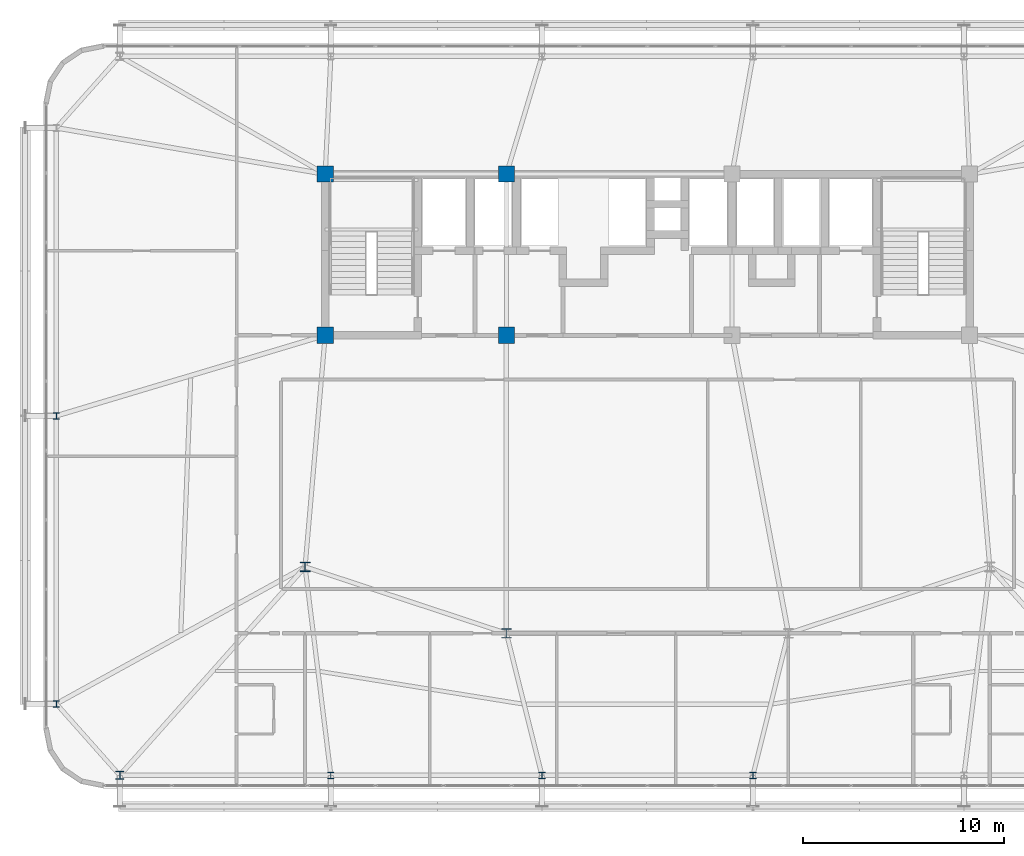
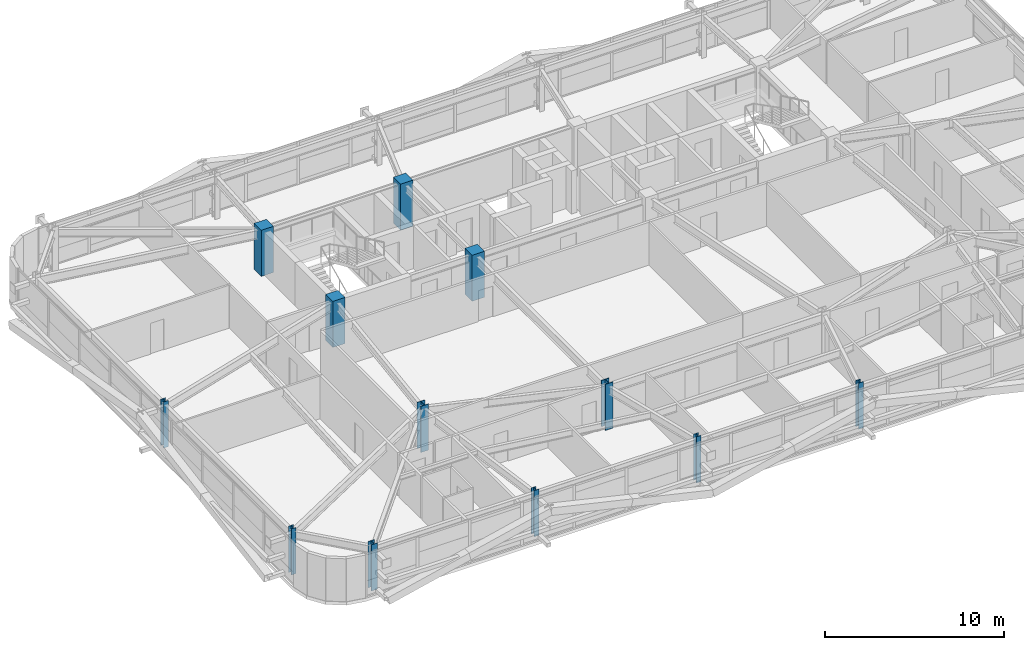
# One storey, part 1 of 58: 12 columns.
"""IFC4 building model written with IfcOpenShell, lengths in metres."""

from ifc_helpers import new_model, si_unit, direction, frame, origin, origin_2d, place, context, subcontext, project, spatial, rectangle, i_section, extrude, source, transform, mapped, material, material_profile, profile_set, type_object, element, save


model = new_model("IFC4")

# Units and contexts
model_context = context("Model", 3, precision=1e-05, world=origin(), true_north=direction((0.0, 1.0)))
body_context = subcontext(model_context, "Body", "Model", "MODEL_VIEW")
ifc_project = project(units=[si_unit("LENGTHUNIT", "METRE"), si_unit("AREAUNIT", "SQUARE_METRE"), si_unit("VOLUMEUNIT", "CUBIC_METRE"), si_unit("PLANEANGLEUNIT", "RADIAN"), si_unit("MASSUNIT", "GRAM", prefix="KILO")], contexts=[model_context])

# Site, building, storey
site_placement = place(None, origin())
site = spatial("IfcSite", under=ifc_project, at=site_placement, CompositionType="ELEMENT")
building_placement = place(site_placement, origin())
building = spatial("IfcBuilding", under=site, at=building_placement, Name="Taldren Reach Tower", CompositionType="ELEMENT")
storey_placement = place(building_placement, frame((0.0, 0.0, 54.60009765625)))
storey = spatial("IfcBuildingStorey", under=building, at=storey_placement, Name="L16", CompositionType="ELEMENT", Elevation=54.60009765625)

# Columns
ifc_material_1 = material(Name="Steel Gr 350 (350PLUS)", Category="steel")
ifc_material_profile_1 = material_profile(ifc_material_1, i_section(OverallWidth=0.5, OverallDepth=0.47998046875, WebThickness=0.028076171875, FlangeThickness=0.0439453125, at=origin_2d()), Name="500WC440")
ifc_profile_set_1 = profile_set([ifc_material_profile_1], Name="Steel Gr 350 (350PLUS)")
column_type_1 = type_object("IfcColumnType", Name="COL-WC500A", PredefinedType="COLUMN", material=ifc_profile_set_1)
shared_shape_1 = source(origin(), body_context, "Body", "SweptSolid", [
    extrude(i_section(OverallWidth=0.5, OverallDepth=0.47998046875, WebThickness=0.028076171875, FlangeThickness=0.0439453125, at=origin_2d()), origin(), (0.0, 0.0, 1.0), 3.14990234375),
])
column_1_placement = place(storey_placement, frame((28.0, 9.199951171875, 0.0), z_axis=(0.0, 0.0, 1.0), x_axis=(1.0, 0.0, 0.0)))
element("IfcColumn", 1, at=column_1_placement, inside=storey, type_object=column_type_1, Name="Mega column MC-PJW L16", PredefinedType="COLUMN", context=body_context, shape_type="MappedRepresentation", body=[
    mapped(shared_shape_1, transform((0.0, 0.0, 0.0), scale=1.0)),
])
ifc_material_profile_2 = material_profile(ifc_material_1, i_section(OverallWidth=0.39990234375, OverallDepth=0.39599609375, WebThickness=0.02197265625, FlangeThickness=0.033935546875, at=origin_2d()), Name="400WC270")
ifc_profile_set_2 = profile_set([ifc_material_profile_2], Name="Steel Gr 350 (350PLUS)")
column_type_2 = type_object("IfcColumnType", Name="COL-WC400", PredefinedType="COLUMN", material=ifc_profile_set_2)
shared_shape_2 = source(origin(), body_context, "Body", "SweptSolid", [
    extrude(i_section(OverallWidth=0.39990234375, OverallDepth=0.39599609375, WebThickness=0.02197265625, FlangeThickness=0.033935546875, at=origin_2d()), origin(), (0.0, 0.0, 1.0), 3.14990234375),
])
column_2_placement = place(storey_placement, frame((8.800048828125, 2.14990234375, 0.0), z_axis=(0.0, 0.0, 1.0), x_axis=(1.0, 0.0, 0.0)))
element("IfcColumn", 2, at=column_2_placement, inside=storey, type_object=column_type_2, Name="Block B1 perimeter column S1 L16", PredefinedType="COLUMN", context=body_context, shape_type="MappedRepresentation", body=[
    mapped(shared_shape_2, transform((0.0, 0.0, 0.0), scale=1.0)),
])
ifc_material_profile_3 = material_profile(ifc_material_1, i_section(OverallWidth=0.31103515625, OverallDepth=0.326904296875, WebThickness=0.015625, FlangeThickness=0.02490234375, at=origin_2d()), Name="310UC158")
ifc_profile_set_3 = profile_set([ifc_material_profile_3], Name="Steel Gr 350 (350PLUS)")
column_type_3 = type_object("IfcColumnType", Name="COL-UC310A", PredefinedType="COLUMN", material=ifc_profile_set_3)
shared_shape_3 = source(origin(), body_context, "Body", "SweptSolid", [
    extrude(i_section(OverallWidth=0.31103515625, OverallDepth=0.326904296875, WebThickness=0.015625, FlangeThickness=0.02490234375, at=origin_2d()), origin(), (0.0, 0.0, 1.0), 3.14990234375),
])
for number, where, z_axis, x_axis, name in (
    (3, (19.280029296875, 2.14990234375, 0.0), (0.0, 0.0, 1.0), (1.0, 0.0, 0.0), "Block B1 perimeter column S2 L16"),
    (4, (29.760009765625, 2.14990234375, 0.0), (0.0, 0.0, 1.0), (1.0, 0.0, 0.0), "Block B1 perimeter column S3 L16"),
    (5, (40.239990234375, 2.14990234375, 0.0), (0.0, 0.0, 1.0), (1.0, 0.0, 0.0), "Block B1 perimeter column S4 L16"),
    (6, (5.64990234375, 5.699951171875, 0.0), (0.0, 0.0, 1.0), (1.0, 0.0, 0.0), "Block B1 perimeter column W1 L16"),
    (7, (5.64990234375, 20.0, 0.0), (0.0, 0.0, 1.0), (1.0, 0.0, 0.0), "Block B1 perimeter column W2 L16"),
):
    element("IfcColumn", number, at=place(storey_placement, frame(where, z_axis=z_axis, x_axis=x_axis)), inside=storey, type_object=column_type_3, Name=name, PredefinedType="COLUMN", context=body_context, shape_type="MappedRepresentation", body=[
        mapped(shared_shape_3, transform((0.0, 0.0, 0.0), scale=1.0)),
    ])
ifc_material_2 = material(Name="Concrete S65 (65 MPa)", Category="concrete")
ifc_material_profile_4 = material_profile(ifc_material_2, rectangle(XDim=0.800048828125, YDim=0.800048828125, at=origin_2d()), Name="RC-800x800")
ifc_profile_set_4 = profile_set([ifc_material_profile_4], Name="Concrete S65 (65 MPa)")
column_type_4 = type_object("IfcColumnType", Name="COL-RC800", PredefinedType="COLUMN", material=ifc_profile_set_4)
shared_shape_4 = source(origin(), body_context, "Body", "SweptSolid", [
    extrude(rectangle(XDim=0.800048828125, YDim=0.800048828125, at=origin_2d()), origin(), (0.0, 0.0, 1.0), 3.14990234375),
])
for number, where, z_axis, x_axis, name in (
    (8, (19.0, 24.0, 0.0), (0.0, 0.0, 1.0), (1.0, 0.0, 0.0), "Mega column MC-C1 L16"),
    (9, (28.0, 24.0, 0.0), (0.0, 0.0, 1.0), (1.0, 0.0, 0.0), "Mega column MC-C2 L16"),
    (10, (19.0, 32.0, 0.0), (0.0, 0.0, 1.0), (1.0, 0.0, 0.0), "Mega column MC-C5 L16"),
    (11, (28.0, 32.0, 0.0), (0.0, 0.0, 1.0), (1.0, 0.0, 0.0), "Mega column MC-C6 L16"),
):
    element("IfcColumn", number, at=place(storey_placement, frame(where, z_axis=z_axis, x_axis=x_axis)), inside=storey, type_object=column_type_4, Name=name, PredefinedType="COLUMN", context=body_context, shape_type="MappedRepresentation", body=[
        mapped(shared_shape_4, transform((0.0, 0.0, 0.0), scale=1.0)),
    ])
ifc_material_profile_5 = material_profile(ifc_material_1, i_section(OverallWidth=0.5, OverallDepth=0.464111328125, WebThickness=0.02197265625, FlangeThickness=0.033935546875, at=origin_2d()), Name="500WC340")
ifc_profile_set_5 = profile_set([ifc_material_profile_5], Name="Steel Gr 350 (350PLUS)")
column_type_5 = type_object("IfcColumnType", Name="COL-WC500B", PredefinedType="COLUMN", material=ifc_profile_set_5)
shared_shape_5 = source(origin(), body_context, "Body", "SweptSolid", [
    extrude(i_section(OverallWidth=0.5, OverallDepth=0.464111328125, WebThickness=0.02197265625, FlangeThickness=0.033935546875, at=origin_2d()), origin(), (0.0, 0.0, 1.0), 3.14990234375),
])
column_3_placement = place(storey_placement, frame((18.0, 12.5, 0.0), z_axis=(0.0, 0.0, 1.0), x_axis=(1.0, 0.0, 0.0)))
element("IfcColumn", 12, at=column_3_placement, inside=storey, type_object=column_type_5, Name="Mega column MC-SW L16", PredefinedType="COLUMN", context=body_context, shape_type="MappedRepresentation", body=[
    mapped(shared_shape_5, transform((0.0, 0.0, 0.0), scale=1.0)),
])

save(model, "model.ifc")
